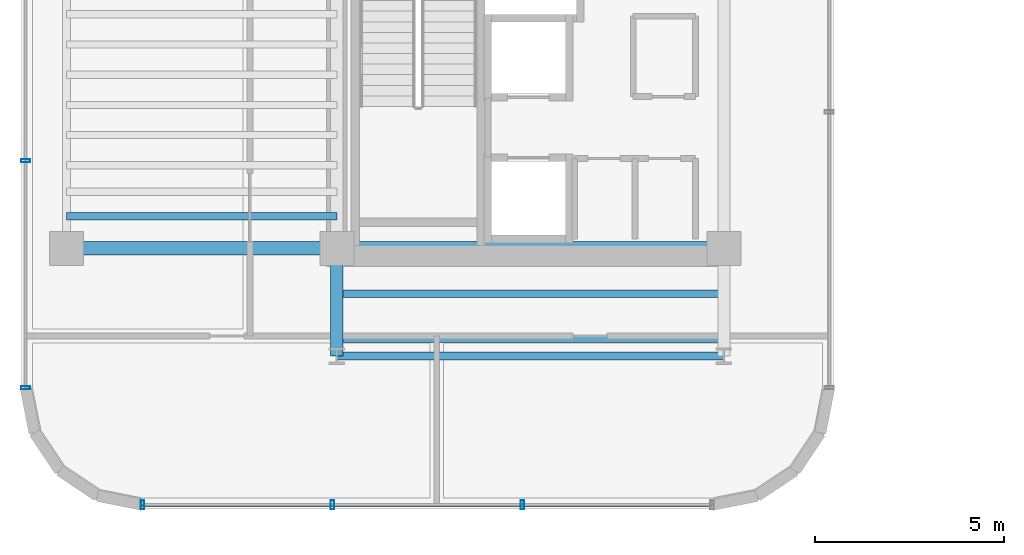
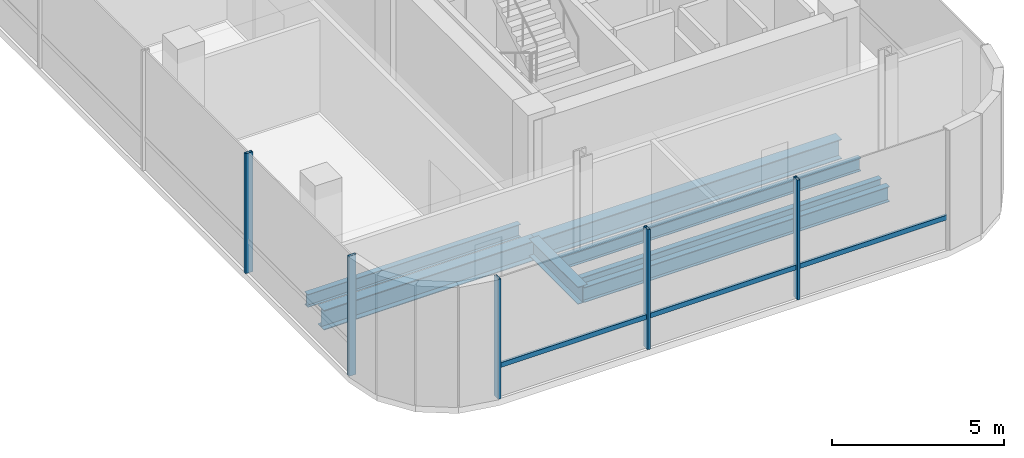
# One storey, part 2 of 17: 7 beams, 6 members, 2 elements without a shape of their own.
"""IFC4 building model written with IfcOpenShell, lengths in metres."""

from ifc_helpers import new_model, si_unit, direction, frame, origin, origin_2d, place, context, subcontext, project, spatial, hollow_rectangle, i_section, extrude, source, transform, mapped, material, material_profile, profile_set, type_object, element, aggregate, save


model = new_model("IFC4")

# Units and contexts
model_context = context("Model", 3, precision=1e-05, world=origin(), true_north=direction((0.0, 1.0)))
body_context = subcontext(model_context, "Body", "Model", "MODEL_VIEW")
ifc_project = project(units=[si_unit("LENGTHUNIT", "METRE"), si_unit("AREAUNIT", "SQUARE_METRE"), si_unit("VOLUMEUNIT", "CUBIC_METRE"), si_unit("PLANEANGLEUNIT", "RADIAN"), si_unit("MASSUNIT", "GRAM", prefix="KILO")], contexts=[model_context])

# Site, building, storey
site_placement = place(None, origin())
site = spatial("IfcSite", under=ifc_project, at=site_placement, CompositionType="ELEMENT")
building_placement = place(site_placement, origin())
building = spatial("IfcBuilding", under=site, at=building_placement, Name="Valdorenza Pilgrim Sanctuary Tower", CompositionType="ELEMENT")
storey_placement = place(building_placement, frame((0.0, 0.0, 201.0)))
storey = spatial("IfcBuildingStorey", under=building, at=storey_placement, Name="L51", CompositionType="ELEMENT", Elevation=201.0)

# Beams
ifc_material_1 = material(Name="Steel ASTM A992 Grade 50", Category="steel")
ifc_material_profile_1 = material_profile(ifc_material_1, i_section(OverallWidth=0.323974609375, OverallDepth=0.611083984375, WebThickness=0.0126953125, FlangeThickness=0.01904296875, at=origin_2d()), Name="W24X104")
ifc_profile_set_1 = profile_set([ifc_material_profile_1], Name="Steel ASTM A992 Grade 50")
beam_type_1 = type_object("IfcBeamType", Name="STR-BM-GRD-W24B", PredefinedType="BEAM", material=ifc_profile_set_1)
shared_shape_1 = source(origin(), body_context, "Body", "SweptSolid", [
    extrude(i_section(OverallWidth=0.323974609375, OverallDepth=0.611083984375, WebThickness=0.0126953125, FlangeThickness=0.01904296875, at=origin_2d()), origin(), (0.0, 0.0, 1.0), 2.849853515625),
])
beam_1_placement = place(storey_placement, frame((-22.64990234375, -13.449951171875, -0.54541015625), z_axis=(0.0, 1.0, 0.0), x_axis=(-1.0, 0.0, 0.0)))
element("IfcBeam", 1, at=beam_1_placement, inside=storey, type_object=beam_type_1, Name="L51 Floor Girder WA-S-LW", PredefinedType="BEAM", context=body_context, shape_type="MappedRepresentation", body=[
    mapped(shared_shape_1, transform((0.0, 0.0, 0.0), x_axis=(1.0, 0.0, 0.0), y_axis=(0.0, 1.0, 0.0), z_axis=(0.0, 0.0, 1.0), scale=1.0)),
])
ifc_material_profile_2 = material_profile(ifc_material_1, i_section(OverallWidth=0.19091796875, OverallDepth=0.45703125, WebThickness=0.009033203125, FlangeThickness=0.014404296875, at=origin_2d()), Name="W18X50")
ifc_profile_set_2 = profile_set([ifc_material_profile_2], Name="Steel ASTM A992 Grade 50")
beam_type_2 = type_object("IfcBeamType", Name="STR-BM-JST-W18B", PredefinedType="JOIST", material=ifc_profile_set_2)
shared_shape_2 = source(origin(), body_context, "Body", "SweptSolid", [
    extrude(i_section(OverallWidth=0.19091796875, OverallDepth=0.45703125, WebThickness=0.009033203125, FlangeThickness=0.014404296875, at=origin_2d()), origin(), (0.0, 0.0, 1.0), 10.25),
])
for number, where, z_axis, x_axis, name in (
    (2, (-22.64990234375, -13.0, -0.468505859375), (1.0, 0.0, 0.0), (0.0, 1.0, 0.0), "L51 Composite Floor Joist JST-WAS-1"),
    (3, (-22.64990234375, -11.800048828125, -0.468505859375), (1.0, 0.0, 0.0), (0.0, 1.0, 0.0), "L51 Composite Floor Joist JST-WAS-2"),
):
    element("IfcBeam", number, at=place(storey_placement, frame(where, z_axis=z_axis, x_axis=x_axis)), inside=storey, type_object=beam_type_2, Name=name, PredefinedType="JOIST", context=body_context, shape_type="MappedRepresentation", body=[
        mapped(shared_shape_2, transform((0.0, 0.0, 0.0), x_axis=(1.0, 0.0, 0.0), y_axis=(0.0, 1.0, 0.0), z_axis=(0.0, 0.0, 1.0), scale=1.0)),
    ])
shared_shape_3 = source(origin(), body_context, "Body", "SweptSolid", [
    extrude(i_section(OverallWidth=0.19091796875, OverallDepth=0.45703125, WebThickness=0.009033203125, FlangeThickness=0.014404296875, at=origin_2d()), origin(), (0.0, 0.0, 1.0), 7.150146484375),
])
beam_2_placement = place(storey_placement, frame((-29.800048828125, -9.75, -0.468505859375), z_axis=(1.0, 0.0, 0.0), x_axis=(0.0, 1.0, 0.0)))
element("IfcBeam", 4, at=beam_2_placement, inside=storey, type_object=beam_type_2, Name="L51 Composite Floor Joist JST-WA-1", PredefinedType="JOIST", context=body_context, shape_type="MappedRepresentation", body=[
    mapped(shared_shape_3, transform((0.0, 0.0, 0.0), x_axis=(1.0, 0.0, 0.0), y_axis=(0.0, 1.0, 0.0), z_axis=(0.0, 0.0, 1.0), scale=1.0)),
])
ifc_material_profile_3 = material_profile(ifc_material_1, i_section(OverallWidth=0.2109375, OverallDepth=0.5390625, WebThickness=0.01171875, FlangeThickness=0.018798828125, at=origin_2d()), Name="W21X73")
ifc_profile_set_3 = profile_set([ifc_material_profile_3], Name="Steel ASTM A992 Grade 50")
beam_type_3 = type_object("IfcBeamType", Name="STR-BM-SPN-W21B", PredefinedType="SPANDREL", material=ifc_profile_set_3)
shared_shape_4 = source(origin(), body_context, "Body", "SweptSolid", [
    extrude(i_section(OverallWidth=0.2109375, OverallDepth=0.5390625, WebThickness=0.01171875, FlangeThickness=0.018798828125, at=origin_2d()), origin(), (0.0, 0.0, 1.0), 10.25),
])
beam_3_placement = place(storey_placement, frame((-22.64990234375, -13.449951171875, -0.509521484375), z_axis=(1.0, 0.0, 0.0), x_axis=(0.0, 1.0, 0.0)))
element("IfcBeam", 5, at=beam_3_placement, inside=storey, type_object=beam_type_3, Name="L51 South Spandrel WA-S-TIE", PredefinedType="SPANDREL", context=body_context, shape_type="MappedRepresentation", body=[
    mapped(shared_shape_4, transform((0.0, 0.0, 0.0), x_axis=(1.0, 0.0, 0.0), y_axis=(0.0, 1.0, 0.0), z_axis=(0.0, 0.0, 1.0), scale=1.0)),
])
ifc_material_profile_4 = material_profile(ifc_material_1, i_section(OverallWidth=0.35595703125, OverallDepth=0.700927734375, WebThickness=0.016845703125, FlangeThickness=0.02734375, at=origin_2d()), Name="W27X161")
ifc_profile_set_4 = profile_set([ifc_material_profile_4], Name="Steel ASTM A992 Grade 50")
beam_type_4 = type_object("IfcBeamType", Name="STR-BM-GRD-W27", PredefinedType="BEAM", material=ifc_profile_set_4)
shared_shape_5 = source(origin(), body_context, "Body", "SweptSolid", [
    extrude(i_section(OverallWidth=0.35595703125, OverallDepth=0.700927734375, WebThickness=0.016845703125, FlangeThickness=0.02734375, at=origin_2d()), origin(), (0.0, 0.0, 1.0), 7.150146484375),
])
beam_4_placement = place(storey_placement, frame((-29.800048828125, -10.60009765625, -0.590576171875), z_axis=(1.0, 0.0, 0.0), x_axis=(0.0, 1.0, 0.0)))
element("IfcBeam", 6, at=beam_4_placement, inside=storey, type_object=beam_type_4, Name="L51 Floor Girder WA-XW-S1", PredefinedType="BEAM", context=body_context, shape_type="MappedRepresentation", body=[
    mapped(shared_shape_5, transform((0.0, 0.0, 0.0), x_axis=(1.0, 0.0, 0.0), y_axis=(0.0, 1.0, 0.0), z_axis=(0.0, 0.0, 1.0), scale=1.0)),
])
shared_shape_6 = source(origin(), body_context, "Body", "SweptSolid", [
    extrude(i_section(OverallWidth=0.35595703125, OverallDepth=0.700927734375, WebThickness=0.016845703125, FlangeThickness=0.02734375, at=origin_2d()), origin(), (0.0, 0.0, 1.0), 10.25),
])
beam_5_placement = place(storey_placement, frame((-22.64990234375, -10.60009765625, -0.590576171875), z_axis=(1.0, 0.0, 0.0), x_axis=(0.0, 1.0, 0.0)))
element("IfcBeam", 7, at=beam_5_placement, inside=storey, type_object=beam_type_4, Name="L51 Floor Girder CA-XC-S1", PredefinedType="BEAM", context=body_context, shape_type="MappedRepresentation", body=[
    mapped(shared_shape_6, transform((0.0, 0.0, 0.0), x_axis=(1.0, 0.0, 0.0), y_axis=(0.0, 1.0, 0.0), z_axis=(0.0, 0.0, 1.0), scale=1.0)),
])

# Curtain wall, members
ifc_material_2 = material(Name="Curtain-wall IGU glazing", Category="glass")
curtain_wall_type = type_object("IfcCurtainWallType", Name="CW-SYS-04", PredefinedType="NOTDEFINED", material=ifc_material_2)
curtain_wall_1_placement = place(storey_placement, origin())
curtain_wall_1 = element("IfcCurtainWall", 8, at=curtain_wall_1_placement, inside=storey, type_object=curtain_wall_type, Name="L51 Curtain Wall CW-L51-1-1", PredefinedType="NOTDEFINED")
ifc_material_3 = material(Name="Anodised aluminium AW-6060", Category="aluminium")
ifc_material_profile_5 = material_profile(ifc_material_3, hollow_rectangle(XDim=0.090087890625, YDim=0.239990234375, WallThickness=0.0048828125, at=origin_2d()), Name="ALU-M 240x90x5")
ifc_profile_set_5 = profile_set([ifc_material_profile_5], Name="Anodised aluminium AW-6060")
member_type_1 = type_object("IfcMemberType", Name="CW-MUL-04", PredefinedType="MULLION", material=ifc_profile_set_5)
shared_shape_7 = source(origin(), body_context, "Body", "SweptSolid", [
    extrude(hollow_rectangle(XDim=0.090087890625, YDim=0.239990234375, WallThickness=0.0048828125, at=origin_2d()), origin(), (0.0, 0.0, 1.0), 4.260009765625),
])
member_1_placement = place(storey_placement, frame((-30.889892578125, -14.289306640625, 0.0), z_axis=(0.0, 0.0, 1.0), x_axis=(0.0, 1.0, 0.0)))
member_1 = element("IfcMember", 9, at=member_1_placement, type_object=member_type_1, Name="CW-L51-1-1 Mullion 1", PredefinedType="MULLION", context=body_context, shape_type="MappedRepresentation", body=[
    mapped(shared_shape_7, transform((0.0, 0.0, 0.0), x_axis=(1.0, 0.0, 0.0), y_axis=(0.0, 1.0, 0.0), z_axis=(0.0, 0.0, 1.0), scale=1.0)),
])
member_2_placement = place(storey_placement, frame((-30.889892578125, -8.27978515625, 0.0), z_axis=(0.0, 0.0, 1.0), x_axis=(0.0, 1.0, 0.0)))
member_2 = element("IfcMember", 10, at=member_2_placement, type_object=member_type_1, Name="CW-L51-1-1 Mullion 2", PredefinedType="MULLION", context=body_context, shape_type="MappedRepresentation", body=[
    mapped(shared_shape_7, transform((0.0, 0.0, 0.0), x_axis=(1.0, 0.0, 0.0), y_axis=(0.0, 1.0, 0.0), z_axis=(0.0, 0.0, 1.0), scale=1.0)),
])
aggregate(curtain_wall_1, [member_1, member_2])

curtain_wall_2_placement = place(storey_placement, origin())
curtain_wall_2 = element("IfcCurtainWall", 11, at=curtain_wall_2_placement, inside=storey, type_object=curtain_wall_type, Name="L51 Curtain Wall CW-L51-1-26", PredefinedType="NOTDEFINED")
member_3_placement = place(storey_placement, frame((-17.73681640625, -17.389892578125, 0.0), z_axis=(0.0, 0.0, 1.0), x_axis=(-1.0, 0.0, 0.0)))
member_3 = element("IfcMember", 12, at=member_3_placement, type_object=member_type_1, Name="CW-L51-1-26 Mullion 2", PredefinedType="MULLION", context=body_context, shape_type="MappedRepresentation", body=[
    mapped(shared_shape_7, transform((0.0, 0.0, 0.0), x_axis=(1.0, 0.0, 0.0), y_axis=(0.0, 1.0, 0.0), z_axis=(0.0, 0.0, 1.0), scale=1.0)),
])
member_4_placement = place(storey_placement, frame((-22.76318359375, -17.389892578125, 0.0), z_axis=(0.0, 0.0, 1.0), x_axis=(-1.0, 0.0, 0.0)))
member_4 = element("IfcMember", 13, at=member_4_placement, type_object=member_type_1, Name="CW-L51-1-26 Mullion 3", PredefinedType="MULLION", context=body_context, shape_type="MappedRepresentation", body=[
    mapped(shared_shape_7, transform((0.0, 0.0, 0.0), x_axis=(1.0, 0.0, 0.0), y_axis=(0.0, 1.0, 0.0), z_axis=(0.0, 0.0, 1.0), scale=1.0)),
])
member_5_placement = place(storey_placement, frame((-27.789306640625, -17.389892578125, 0.0), z_axis=(0.0, 0.0, 1.0), x_axis=(-1.0, 0.0, 0.0)))
member_5 = element("IfcMember", 14, at=member_5_placement, type_object=member_type_1, Name="CW-L51-1-26 Mullion 4", PredefinedType="MULLION", context=body_context, shape_type="MappedRepresentation", body=[
    mapped(shared_shape_7, transform((0.0, 0.0, 0.0), x_axis=(1.0, 0.0, 0.0), y_axis=(0.0, 1.0, 0.0), z_axis=(0.0, 0.0, 1.0), scale=1.0)),
])
ifc_material_profile_6 = material_profile(ifc_material_3, hollow_rectangle(XDim=0.080078125, YDim=0.169921875, WallThickness=0.00390625, at=origin_2d()), Name="ALU-T 170x80x4")
ifc_profile_set_6 = profile_set([ifc_material_profile_6], Name="Anodised aluminium AW-6060")
member_type_2 = type_object("IfcMemberType", Name="CW-TRN-04", PredefinedType="USERDEFINED", material=ifc_profile_set_6)
shared_shape_8 = source(origin(), body_context, "Body", "SweptSolid", [
    extrude(hollow_rectangle(XDim=0.080078125, YDim=0.169921875, WallThickness=0.00390625, at=origin_2d()), origin(), (0.0, 0.0, 1.0), 15.07861328125),
])
member_6_placement = place(storey_placement, frame((-12.710693359375, -17.389892578125, 1.1201171875), z_axis=(-1.0, 0.0, 0.0), x_axis=(0.0, -1.0, 0.0)))
member_6 = element("IfcMember", 15, at=member_6_placement, type_object=member_type_2, Name="CW-L51-1-26 Transom 1", ObjectType="TRANSOM", PredefinedType="USERDEFINED", context=body_context, shape_type="MappedRepresentation", body=[
    mapped(shared_shape_8, transform((0.0, 0.0, 0.0), x_axis=(1.0, 0.0, 0.0), y_axis=(0.0, 1.0, 0.0), z_axis=(0.0, 0.0, 1.0), scale=1.0)),
])
aggregate(curtain_wall_2, [member_3, member_4, member_5, member_6])

save(model, "model.ifc")
